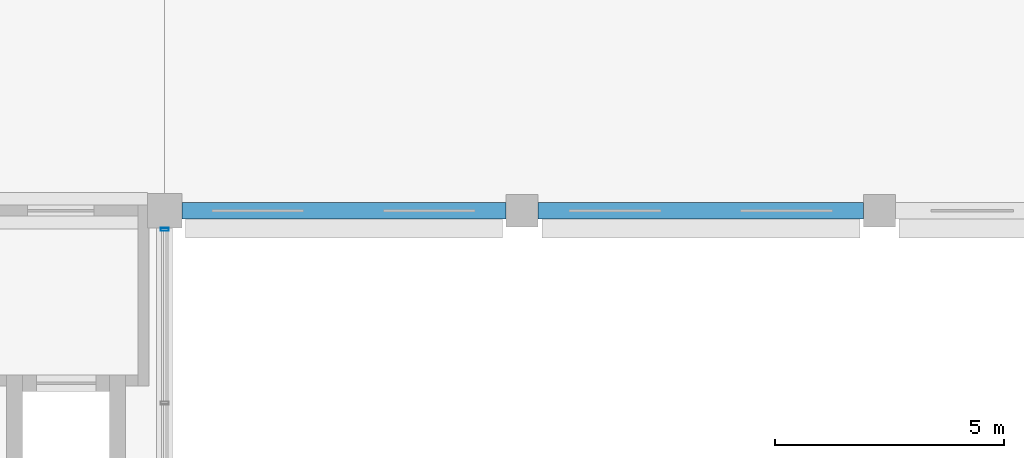
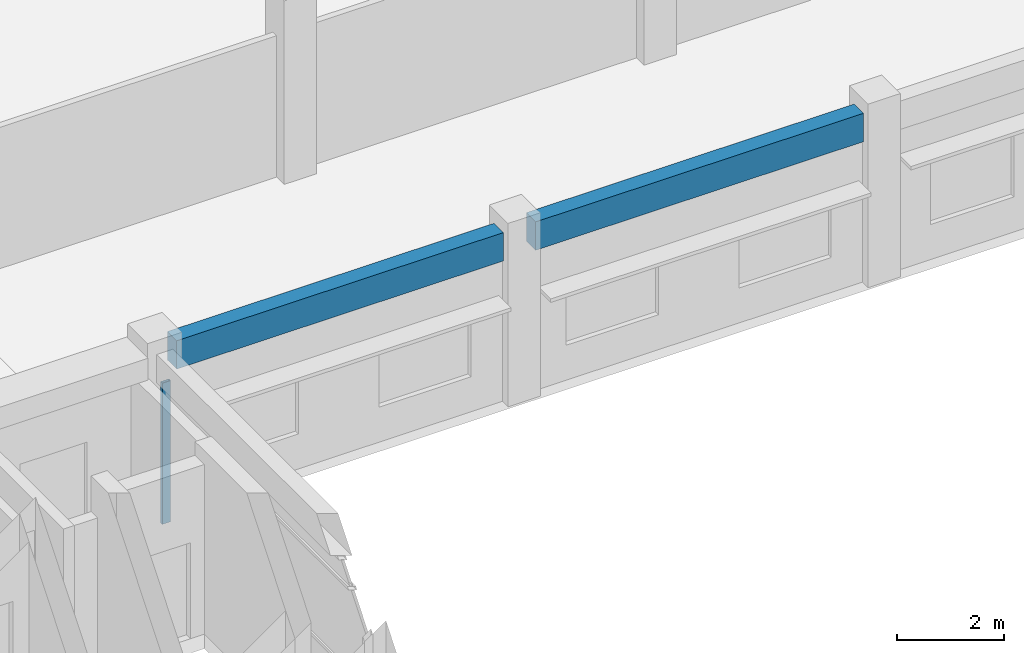
# One storey, part 5 of 53: 2 beams, 1 member, 1 element without a shape of its own.
"""IFC4 building model written with IfcOpenShell, lengths in metres."""

from ifc_helpers import new_model, si_unit, direction, frame, origin, origin_2d, place, context, subcontext, project, spatial, rectangle, hollow_rectangle, extrude, material, material_profile, profile_set, type_object, element, aggregate, save


model = new_model("IFC4")

# Units and contexts
model_context = context("Model", 3, precision=1e-05, world=origin(), true_north=direction((0.0, 1.0)))
body_context = subcontext(model_context, "Body", "Model", "MODEL_VIEW")
ifc_project = project(units=[si_unit("LENGTHUNIT", "METRE"), si_unit("AREAUNIT", "SQUARE_METRE"), si_unit("VOLUMEUNIT", "CUBIC_METRE"), si_unit("PLANEANGLEUNIT", "RADIAN"), si_unit("MASSUNIT", "GRAM", prefix="KILO"), si_unit("THERMODYNAMICTEMPERATUREUNIT", "KELVIN"), si_unit("POWERUNIT", "WATT")], contexts=[model_context])

# Site, building, storey
site_placement = place(None, origin())
site = spatial("IfcSite", under=ifc_project, at=site_placement, CompositionType="ELEMENT")
building_placement = place(site_placement, origin())
building = spatial("IfcBuilding", under=site, at=building_placement, Name="Srebrne Nadtorze General Hospital", CompositionType="ELEMENT")
storey_placement = place(building_placement, frame((0.0, 0.0, 18.0)))
storey = spatial("IfcBuildingStorey", under=building, at=storey_placement, Name="L04", CompositionType="ELEMENT", Elevation=18.0)

# Curtain wall, member
ifc_material_1 = material(Name="Anodised Aluminium", Category="aluminium")
curtain_wall_type = type_object("IfcCurtainWallType", Name="Unitised curtain wall 7650x3235", PredefinedType="NOTDEFINED", material=ifc_material_1)
curtain_wall_placement = place(storey_placement, origin())
curtain_wall = element("IfcCurtainWall", 1, at=curtain_wall_placement, inside=storey, type_object=curtain_wall_type, Name="Curtain wall CW-107", PredefinedType="NOTDEFINED")
ifc_material_2 = material(Name="Anodised Aluminium", Category="aluminium")
ifc_material_profile_1 = material_profile(ifc_material_2, hollow_rectangle(XDim=0.06494140625, YDim=0.179931640625, WallThickness=0.00390625, at=origin_2d()), Name="AL-MUL-65x180")
ifc_profile_set_1 = profile_set([ifc_material_profile_1], Name="Anodised Aluminium")
member_type = type_object("IfcMemberType", Name="Curtain mullion 65x180", PredefinedType="MULLION", material=ifc_profile_set_1)
member_placement = place(storey_placement, frame((54.60009765625, 49.992431640625, 0.0), z_axis=(0.0, 0.0, 1.0), x_axis=(0.0, 1.0, 0.0)))
member = element("IfcMember", 2, at=member_placement, type_object=member_type, Name="CW-107 mullion 3", PredefinedType="MULLION", context=body_context, shape_type="SweptSolid", body=[
    extrude(hollow_rectangle(XDim=0.06494140625, YDim=0.179931640625, WallThickness=0.00390625, at=origin_2d()), origin(), (0.0, 0.0, 1.0), 3.235107421875),
])
aggregate(curtain_wall, [member])

# Beams
ifc_material_3 = material(Name="Concrete C35/45", Category="concrete")
ifc_material_profile_2 = material_profile(ifc_material_3, rectangle(XDim=0.35009765625, YDim=0.64990234375, at=origin_2d()), Name="RC-BM-350x650")
ifc_profile_set_2 = profile_set([ifc_material_profile_2], Name="Concrete C35/45")
beam_type = type_object("IfcBeamType", Name="Edge beam RC 350x650", PredefinedType="BEAM", material=ifc_profile_set_2)
beam_1_placement = place(storey_placement, frame((54.97509765625, 50.39990234375, 3.56005859375), z_axis=(1.0, 0.0, 0.0), x_axis=(0.0, 1.0, 0.0)))
element("IfcBeam", 3, at=beam_1_placement, inside=storey, type_object=beam_type, Name="Beam BM-L04-X-0885", PredefinedType="BEAM", context=body_context, shape_type="SweptSolid", body=[
    extrude(rectangle(XDim=0.35009765625, YDim=0.64990234375, at=origin_2d()), origin(), (0.0, 0.0, 1.0), 7.074951171875),
])
beam_2_placement = place(storey_placement, frame((62.75, 50.39990234375, 3.56005859375), z_axis=(1.0, 0.0, 0.0), x_axis=(0.0, 1.0, 0.0)))
element("IfcBeam", 4, at=beam_2_placement, inside=storey, type_object=beam_type, Name="Beam BM-L04-X-0886", PredefinedType="BEAM", context=body_context, shape_type="SweptSolid", body=[
    extrude(rectangle(XDim=0.35009765625, YDim=0.64990234375, at=origin_2d()), origin(), (0.0, 0.0, 1.0), 7.10009765625),
])

save(model, "model.ifc")
